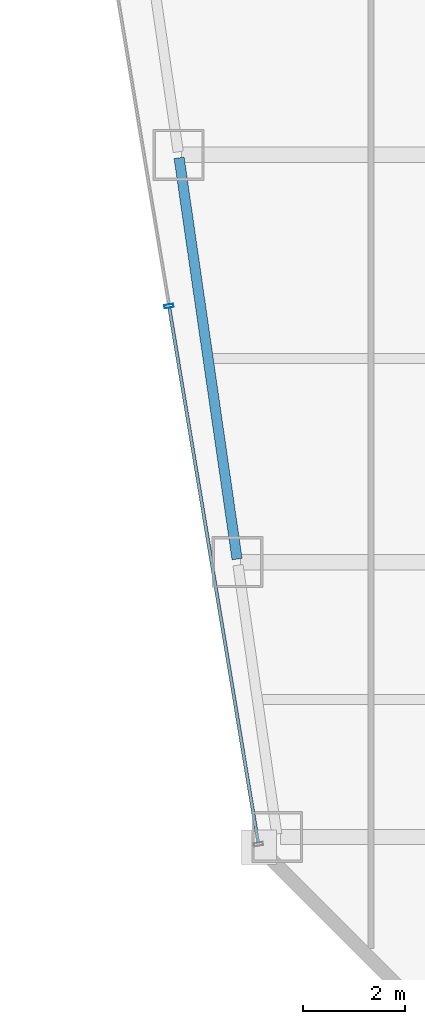
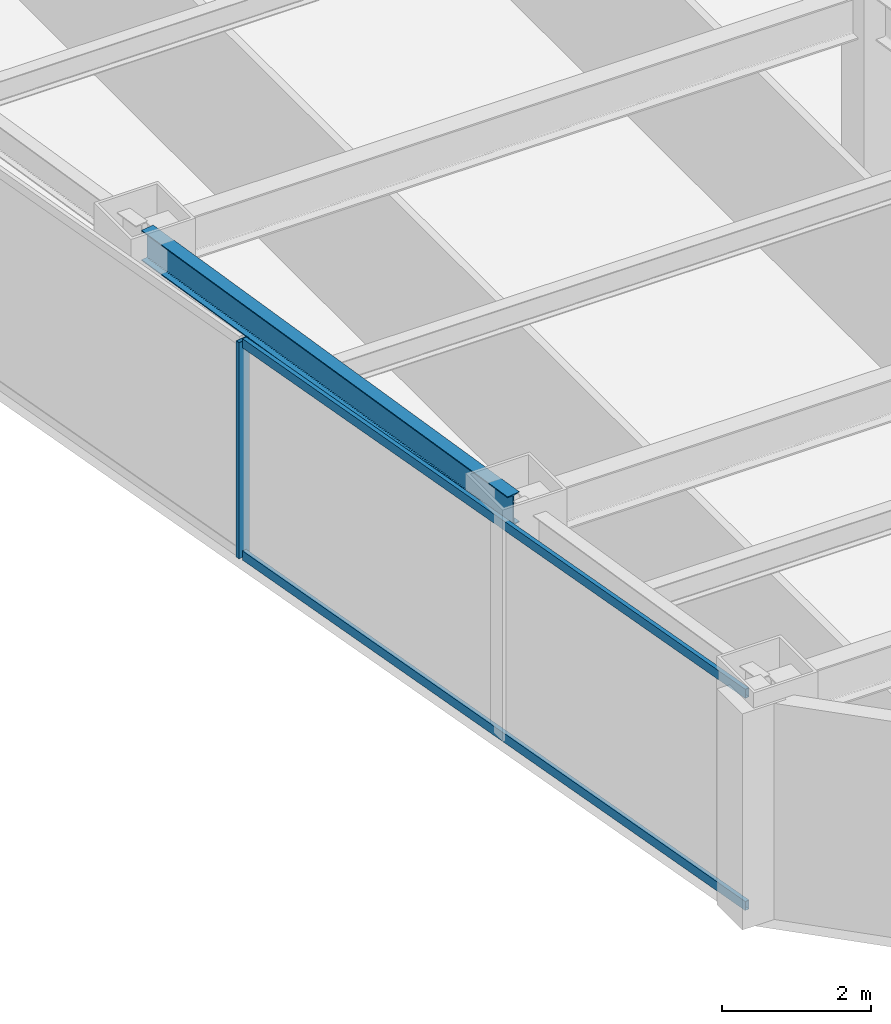
# One storey, part 3 of 38: 3 members, 1 beam, 1 element without a shape of its own.
"""IFC4 building model written with IfcOpenShell, lengths in metres."""

from ifc_helpers import new_model, si_unit, direction, frame, origin, origin_2d, place, context, subcontext, project, spatial, hollow_rectangle, i_section, extrude, material, material_profile, profile_set, type_object, element, aggregate, save


model = new_model("IFC4")

# Units and contexts
model_context = context("Model", 3, precision=1e-05, world=origin(), true_north=direction((0.0, 1.0)))
body_context = subcontext(model_context, "Body", "Model", "MODEL_VIEW")
ifc_project = project(units=[si_unit("LENGTHUNIT", "METRE"), si_unit("AREAUNIT", "SQUARE_METRE"), si_unit("VOLUMEUNIT", "CUBIC_METRE"), si_unit("PLANEANGLEUNIT", "RADIAN"), si_unit("MASSUNIT", "GRAM", prefix="KILO")], contexts=[model_context])

# Site, building, storey
site_placement = place(None, origin())
site = spatial("IfcSite", under=ifc_project, at=site_placement, CompositionType="ELEMENT")
building_placement = place(site_placement, origin())
building = spatial("IfcBuilding", under=site, at=building_placement, Name="Saevonmaru Cultural Tower", CompositionType="ELEMENT")
storey_placement = place(building_placement, frame((0.0, 0.0, 137.199951171875)))
storey = spatial("IfcBuildingStorey", under=building, at=storey_placement, Name="L29", CompositionType="ELEMENT", Elevation=137.199951171875)

# Beam
ifc_material_1 = material(Name="Steel SM355", Category="steel")
ifc_material_profile_1 = material_profile(ifc_material_1, i_section(OverallWidth=0.199951171875, OverallDepth=0.5, WebThickness=0.010009765625, FlangeThickness=0.01611328125, FilletRadius=0.02001953125, at=origin_2d()), Name="H-500x200x10x16")
ifc_profile_set_1 = profile_set([ifc_material_profile_1], Name="Steel SM355")
beam_type = type_object("IfcBeamType", Name="BM-SP-H500", PredefinedType="SPANDREL", material=ifc_profile_set_1)
beam_placement = place(storey_placement, frame((10.619384765625, 16.059326171875, 3.300048828125), z_axis=(-0.142992129437, 0.989723825579, 0.0), x_axis=(-0.989723825579, -0.142992129437, 0.0)))
element("IfcBeam", 1, at=beam_placement, inside=storey, type_object=beam_type, Name="L29 West Splayed Spandrel 2", PredefinedType="SPANDREL", context=body_context, shape_type="SweptSolid", body=[
    extrude(i_section(OverallWidth=0.199951171875, OverallDepth=0.5, WebThickness=0.010009765625, FlangeThickness=0.01611328125, FilletRadius=0.02001953125, at=origin_2d()), origin(), (0.0, 0.0, 1.0), 7.963134765625),
])

# Curtain wall, members
ifc_material_2 = material(Name="Satin Bronze Anodised Aluminium", Category="aluminium")
curtain_wall_type = type_object("IfcCurtainWallType", Name="CW-TYP-A", PredefinedType="NOTDEFINED", material=ifc_material_2)
curtain_wall_placement = place(storey_placement, origin())
curtain_wall = element("IfcCurtainWall", 2, at=curtain_wall_placement, inside=storey, type_object=curtain_wall_type, Name="L29 Unitised Curtain Wall E12", PredefinedType="NOTDEFINED")
ifc_material_profile_2 = material_profile(ifc_material_2, hollow_rectangle(XDim=0.06494140625, YDim=0.179931640625, WallThickness=0.00390625, at=origin_2d()), Name="ALU-MULL-180x65x4")
ifc_profile_set_2 = profile_set([ifc_material_profile_2], Name="Satin Bronze Anodised Aluminium")
member_type_1 = type_object("IfcMemberType", Name="ML-CW-180x65", PredefinedType="MULLION", material=ifc_profile_set_2)
member_1_placement = place(storey_placement, frame((9.28173828125, 21.029541015625, 0.0), z_axis=(0.0, 0.0, 1.0), x_axis=(0.163998702345, -0.986460554523, 0.0)))
member_1 = element("IfcMember", 3, at=member_1_placement, type_object=member_type_1, Name="CW-TW-L29-E12 mullion 4", PredefinedType="MULLION", context=body_context, shape_type="SweptSolid", body=[
    extrude(hollow_rectangle(XDim=0.06494140625, YDim=0.179931640625, WallThickness=0.00390625, at=origin_2d()), origin(), (0.0, 0.0, 1.0), 3.550048828125),
])
ifc_material_profile_3 = material_profile(ifc_material_2, hollow_rectangle(XDim=0.06494140625, YDim=0.14990234375, WallThickness=0.00390625, at=origin_2d()), Name="ALU-TRAN-150x65x4")
ifc_profile_set_3 = profile_set([ifc_material_profile_3], Name="Satin Bronze Anodised Aluminium")
member_type_2 = type_object("IfcMemberType", Name="TR-CW-150x65", PredefinedType="USERDEFINED", material=ifc_profile_set_3)
member_2_placement = place(storey_placement, frame((9.287109375, 20.99755859375, 0.032470703125), z_axis=(0.163990079074, -0.9864619881, 0.0), x_axis=(0.9864619881, 0.163990079074, 0.0)))
member_2 = element("IfcMember", 4, at=member_2_placement, type_object=member_type_2, Name="CW-TW-L29-E12 transom 4.1", ObjectType="TRANSOM", PredefinedType="USERDEFINED", context=body_context, shape_type="SweptSolid", body=[
    extrude(hollow_rectangle(XDim=0.06494140625, YDim=0.14990234375, WallThickness=0.00390625, at=origin_2d()), origin(), (0.0, 0.0, 1.0), 10.650634765625),
])
member_3_placement = place(storey_placement, frame((9.287109375, 20.99755859375, 3.517578125), z_axis=(0.163990079074, -0.9864619881, 0.0), x_axis=(0.9864619881, 0.163990079074, 0.0)))
member_3 = element("IfcMember", 5, at=member_3_placement, type_object=member_type_2, Name="CW-TW-L29-E12 transom 4.2", ObjectType="TRANSOM", PredefinedType="USERDEFINED", context=body_context, shape_type="SweptSolid", body=[
    extrude(hollow_rectangle(XDim=0.06494140625, YDim=0.14990234375, WallThickness=0.00390625, at=origin_2d()), origin(), (0.0, 0.0, 1.0), 10.650634765625),
])
aggregate(curtain_wall, [member_1, member_2, member_3])

save(model, "model.ifc")
